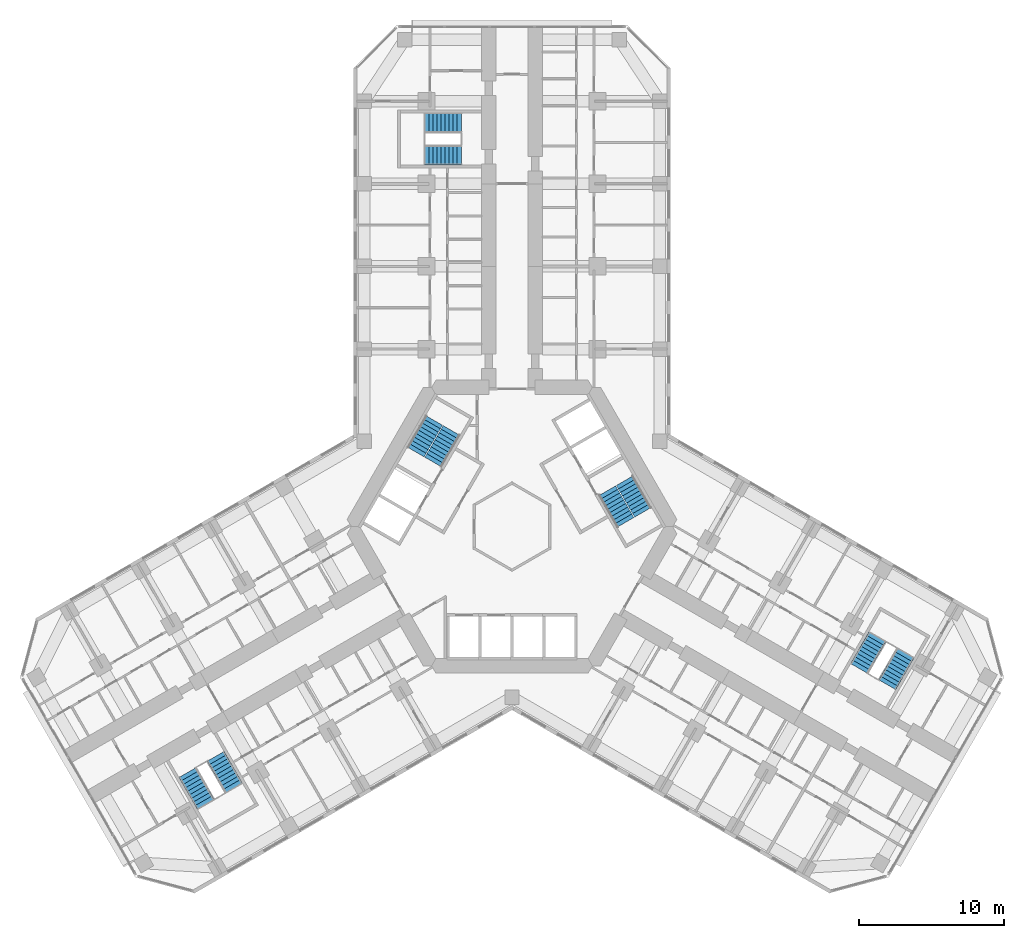
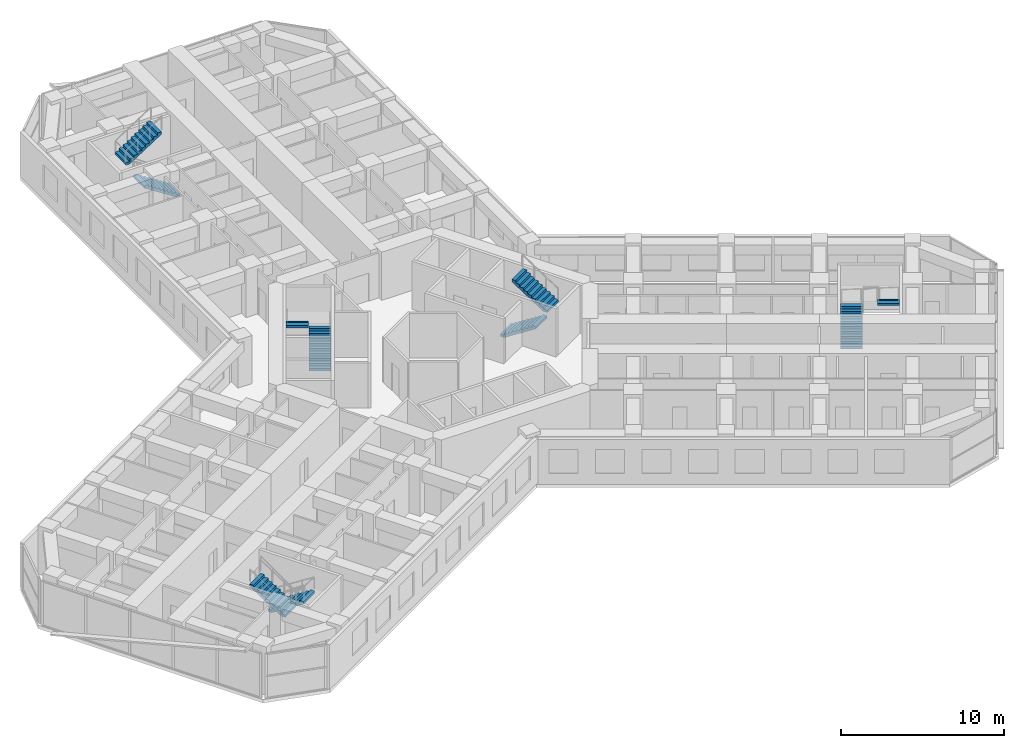
# One storey, part 20 of 21: 10 stair flights, 5 elements without a shape of their own.
"""IFC4 building model written with IfcOpenShell, lengths in metres."""

from ifc_helpers import new_model, si_unit, direction, frame, origin, place, context, subcontext, project, spatial, polyline, outline, extrude, material, type_object, element, aggregate, save


model = new_model("IFC4")

# Units and contexts
model_context = context("Model", 3, precision=1e-05, world=origin(), true_north=direction((0.0, 1.0)))
body_context = subcontext(model_context, "Body", "Model", "MODEL_VIEW")
ifc_project = project(units=[si_unit("LENGTHUNIT", "METRE"), si_unit("AREAUNIT", "SQUARE_METRE"), si_unit("VOLUMEUNIT", "CUBIC_METRE"), si_unit("PLANEANGLEUNIT", "RADIAN"), si_unit("MASSUNIT", "GRAM", prefix="KILO")], contexts=[model_context])

# Site, building, storey
site_placement = place(None, origin())
site = spatial("IfcSite", under=ifc_project, at=site_placement, CompositionType="ELEMENT")
building_placement = place(site_placement, origin())
building = spatial("IfcBuilding", under=site, at=building_placement, Name="Kosmar Iwan School Tower", CompositionType="ELEMENT")
storey_placement = place(building_placement, frame((0.0, 0.0, 46.60009765625)))
storey = spatial("IfcBuildingStorey", under=building, at=storey_placement, Name="L10", CompositionType="ELEMENT", Elevation=46.60009765625)

# Stair, stair flights
ifc_material_1 = material(Name="Concrete C35/45", Category="concrete")
stair_type_1 = type_object("IfcStairType", Name="Escape stair 3600", PredefinedType="HALF_TURN_STAIR", material=ifc_material_1)
stair_1_placement = place(storey_placement, origin())
stair_1 = element("IfcStair", 1, at=stair_1_placement, inside=storey, type_object=stair_type_1, Name="Stair WS1 L10", PredefinedType="HALF_TURN_STAIR")
ifc_material_2 = material(Name="Concrete C35/45", Category="concrete")
stair_flight_type_1 = type_object("IfcStairFlightType", Name="Escape stair flight 1350", PredefinedType="STRAIGHT", material=ifc_material_2)
stair_flight_1_placement = place(storey_placement, frame((-3.5, 25.625, 0.0), z_axis=(0.0, 0.0, 1.0), x_axis=(-1.0, 0.0, 0.0)))
stair_flight_1 = element("IfcStairFlight", 2, at=stair_flight_1_placement, type_object=stair_flight_type_1, Name="WS1 flight 1", NumberOfRisers=10, NumberOfTreads=9, PredefinedType="STRAIGHT", RiserHeight=0.18, TreadLength=0.28, context=body_context, shape_type="SweptSolid", body=[
    extrude(outline(polyline([(0.0, 0.0), (0.0, 0.179931640625), (0.280029296875, 0.179931640625), (0.280029296875, 0.360107421875), (0.56005859375, 0.360107421875), (0.56005859375, 0.5400390625), (0.840087890625, 0.5400390625), (0.840087890625, 0.719970703125), (1.1201171875, 0.719970703125), (1.1201171875, 0.89990234375), (1.39990234375, 0.89990234375), (1.39990234375, 1.080078125), (1.679931640625, 1.080078125), (1.679931640625, 1.260009765625), (1.9599609375, 1.260009765625), (1.9599609375, 1.43994140625), (2.239990234375, 1.43994140625), (2.239990234375, 1.6201171875), (2.52001953125, 1.6201171875), (2.52001953125, 1.800048828125), (2.52001953125, 1.44189453125), (0.277099609375, 0.0), (0.0, 0.0)])), frame((0.0, 0.675048828125, 0.0), z_axis=(0.0, -1.0, 0.0), x_axis=(1.0, 0.0, 0.0)), (0.0, 0.0, 1.0), 1.35009765625),
])
stair_flight_2_placement = place(storey_placement, frame((-6.02001953125, 27.875, 1.7998046875), z_axis=(0.0, 0.0, 1.0), x_axis=(1.0, 0.0, 0.0)))
stair_flight_2 = element("IfcStairFlight", 3, at=stair_flight_2_placement, type_object=stair_flight_type_1, Name="WS1 flight 2", NumberOfRisers=10, NumberOfTreads=9, PredefinedType="STRAIGHT", RiserHeight=0.18, TreadLength=0.28, context=body_context, shape_type="SweptSolid", body=[
    extrude(outline(polyline([(0.0, 0.0), (0.0, 0.179931640625), (0.280029296875, 0.179931640625), (0.280029296875, 0.360107421875), (0.56005859375, 0.360107421875), (0.56005859375, 0.5400390625), (0.840087890625, 0.5400390625), (0.840087890625, 0.719970703125), (1.1201171875, 0.719970703125), (1.1201171875, 0.89990234375), (1.39990234375, 0.89990234375), (1.39990234375, 1.080078125), (1.679931640625, 1.080078125), (1.679931640625, 1.260009765625), (1.9599609375, 1.260009765625), (1.9599609375, 1.43994140625), (2.239990234375, 1.43994140625), (2.239990234375, 1.6201171875), (2.52001953125, 1.6201171875), (2.52001953125, 1.800048828125), (2.52001953125, 1.44189453125), (0.277099609375, 0.0), (0.0, 0.0)])), frame((0.0, 0.675048828125, 0.0), z_axis=(0.0, -1.0, 0.0), x_axis=(1.0, 0.0, 0.0)), (0.0, 0.0, 1.0), 1.35009765625),
])
aggregate(stair_1, [stair_flight_1, stair_flight_2])

stair_2_placement = place(storey_placement, origin())
stair_2 = element("IfcStair", 4, at=stair_2_placement, inside=storey, type_object=stair_type_1, Name="Stair WS2 L10", PredefinedType="HALF_TURN_STAIR")
stair_flight_3_placement = place(storey_placement, frame((-20.44189453125, -15.843505859375, 0.0), z_axis=(0.0, 0.0, 1.0), x_axis=(0.5, -0.866025403784, 0.0)))
stair_flight_3 = element("IfcStairFlight", 5, at=stair_flight_3_placement, type_object=stair_flight_type_1, Name="WS2 flight 1", NumberOfRisers=10, NumberOfTreads=9, PredefinedType="STRAIGHT", RiserHeight=0.18, TreadLength=0.28, context=body_context, shape_type="SweptSolid", body=[
    extrude(outline(polyline([(0.0, 0.0), (0.0, 0.179931640625), (0.280029296875, 0.179931640625), (0.280029296875, 0.360107421875), (0.56005859375, 0.360107421875), (0.56005859375, 0.5400390625), (0.840087890625, 0.5400390625), (0.840087890625, 0.719970703125), (1.1201171875, 0.719970703125), (1.1201171875, 0.89990234375), (1.39990234375, 0.89990234375), (1.39990234375, 1.080078125), (1.679931640625, 1.080078125), (1.679931640625, 1.260009765625), (1.9599609375, 1.260009765625), (1.9599609375, 1.43994140625), (2.239990234375, 1.43994140625), (2.239990234375, 1.6201171875), (2.52001953125, 1.6201171875), (2.52001953125, 1.800048828125), (2.52001953125, 1.44189453125), (0.277099609375, 0.0), (0.0, 0.0)])), frame((0.0, 0.675048828125, 0.0), z_axis=(0.0, -1.0, 0.0), x_axis=(1.0, 0.0, 0.0)), (0.0, 0.0, 1.0), 1.35009765625),
])
stair_flight_4_placement = place(storey_placement, frame((-21.13037109375, -19.15087890625, 1.7998046875), z_axis=(0.0, 0.0, 1.0), x_axis=(-0.5, 0.866025403784, 0.0)))
stair_flight_4 = element("IfcStairFlight", 6, at=stair_flight_4_placement, type_object=stair_flight_type_1, Name="WS2 flight 2", NumberOfRisers=10, NumberOfTreads=9, PredefinedType="STRAIGHT", RiserHeight=0.18, TreadLength=0.28, context=body_context, shape_type="SweptSolid", body=[
    extrude(outline(polyline([(0.0, 0.0), (0.0, 0.179931640625), (0.280029296875, 0.179931640625), (0.280029296875, 0.360107421875), (0.56005859375, 0.360107421875), (0.56005859375, 0.5400390625), (0.840087890625, 0.5400390625), (0.840087890625, 0.719970703125), (1.1201171875, 0.719970703125), (1.1201171875, 0.89990234375), (1.39990234375, 0.89990234375), (1.39990234375, 1.080078125), (1.679931640625, 1.080078125), (1.679931640625, 1.260009765625), (1.9599609375, 1.260009765625), (1.9599609375, 1.43994140625), (2.239990234375, 1.43994140625), (2.239990234375, 1.6201171875), (2.52001953125, 1.6201171875), (2.52001953125, 1.800048828125), (2.52001953125, 1.44189453125), (0.277099609375, 0.0), (0.0, 0.0)])), frame((0.0, 0.675048828125, 0.0), z_axis=(0.0, -1.0, 0.0), x_axis=(1.0, 0.0, 0.0)), (0.0, 0.0, 1.0), 1.35009765625),
])
aggregate(stair_2, [stair_flight_3, stair_flight_4])

stair_3_placement = place(storey_placement, origin())
stair_3 = element("IfcStair", 7, at=stair_3_placement, inside=storey, type_object=stair_type_1, Name="Stair WS3 L10", PredefinedType="HALF_TURN_STAIR")
stair_flight_5_placement = place(storey_placement, frame((23.94189453125, -9.781494140625, 0.0), z_axis=(0.0, 0.0, 1.0), x_axis=(0.5, 0.866025403784, 0.0)))
stair_flight_5 = element("IfcStairFlight", 8, at=stair_flight_5_placement, type_object=stair_flight_type_1, Name="WS3 flight 1", NumberOfRisers=10, NumberOfTreads=9, PredefinedType="STRAIGHT", RiserHeight=0.18, TreadLength=0.28, context=body_context, shape_type="SweptSolid", body=[
    extrude(outline(polyline([(0.0, 0.0), (0.0, 0.179931640625), (0.280029296875, 0.179931640625), (0.280029296875, 0.360107421875), (0.56005859375, 0.360107421875), (0.56005859375, 0.5400390625), (0.840087890625, 0.5400390625), (0.840087890625, 0.719970703125), (1.1201171875, 0.719970703125), (1.1201171875, 0.89990234375), (1.39990234375, 0.89990234375), (1.39990234375, 1.080078125), (1.679931640625, 1.080078125), (1.679931640625, 1.260009765625), (1.9599609375, 1.260009765625), (1.9599609375, 1.43994140625), (2.239990234375, 1.43994140625), (2.239990234375, 1.6201171875), (2.52001953125, 1.6201171875), (2.52001953125, 1.800048828125), (2.52001953125, 1.44189453125), (0.277099609375, 0.0), (0.0, 0.0)])), frame((0.0, 0.675048828125, 0.0), z_axis=(0.0, -1.0, 0.0), x_axis=(1.0, 0.0, 0.0)), (0.0, 0.0, 1.0), 1.35009765625),
])
stair_flight_6_placement = place(storey_placement, frame((27.150390625, -8.72412109375, 1.7998046875), z_axis=(0.0, 0.0, 1.0), x_axis=(-0.5, -0.866025403784, 0.0)))
stair_flight_6 = element("IfcStairFlight", 9, at=stair_flight_6_placement, type_object=stair_flight_type_1, Name="WS3 flight 2", NumberOfRisers=10, NumberOfTreads=9, PredefinedType="STRAIGHT", RiserHeight=0.18, TreadLength=0.28, context=body_context, shape_type="SweptSolid", body=[
    extrude(outline(polyline([(0.0, 0.0), (0.0, 0.179931640625), (0.280029296875, 0.179931640625), (0.280029296875, 0.360107421875), (0.56005859375, 0.360107421875), (0.56005859375, 0.5400390625), (0.840087890625, 0.5400390625), (0.840087890625, 0.719970703125), (1.1201171875, 0.719970703125), (1.1201171875, 0.89990234375), (1.39990234375, 0.89990234375), (1.39990234375, 1.080078125), (1.679931640625, 1.080078125), (1.679931640625, 1.260009765625), (1.9599609375, 1.260009765625), (1.9599609375, 1.43994140625), (2.239990234375, 1.43994140625), (2.239990234375, 1.6201171875), (2.52001953125, 1.6201171875), (2.52001953125, 1.800048828125), (2.52001953125, 1.44189453125), (0.277099609375, 0.0), (0.0, 0.0)])), frame((0.0, 0.675048828125, 0.0), z_axis=(0.0, -1.0, 0.0), x_axis=(1.0, 0.0, 0.0)), (0.0, 0.0, 1.0), 1.35009765625),
])
aggregate(stair_3, [stair_flight_5, stair_flight_6])

ifc_material_3 = material(Name="Concrete C35/45", Category="concrete")
stair_type_2 = type_object("IfcStairType", Name="Core stair 2750", PredefinedType="HALF_TURN_STAIR", material=ifc_material_3)
stair_4_placement = place(storey_placement, origin())
stair_4 = element("IfcStair", 10, at=stair_4_placement, inside=storey, type_object=stair_type_2, Name="Stair ST2 L10", PredefinedType="HALF_TURN_STAIR")
ifc_material_4 = material(Name="Concrete C35/45", Category="concrete")
stair_flight_type_2 = type_object("IfcStairFlightType", Name="Stair flight 1350", PredefinedType="STRAIGHT", material=ifc_material_4)
stair_flight_7_placement = place(storey_placement, frame((-5.42724609375, 4.44970703125, 0.0), z_axis=(0.0, 0.0, 1.0), x_axis=(0.5, 0.866025403784, 0.0)))
stair_flight_7 = element("IfcStairFlight", 11, at=stair_flight_7_placement, type_object=stair_flight_type_2, Name="ST2 flight 1", NumberOfRisers=10, NumberOfTreads=9, PredefinedType="STRAIGHT", RiserHeight=0.18, TreadLength=0.28, context=body_context, shape_type="SweptSolid", body=[
    extrude(outline(polyline([(0.0, 0.0), (0.0, 0.179931640625), (0.280029296875, 0.179931640625), (0.280029296875, 0.360107421875), (0.56005859375, 0.360107421875), (0.56005859375, 0.5400390625), (0.840087890625, 0.5400390625), (0.840087890625, 0.719970703125), (1.1201171875, 0.719970703125), (1.1201171875, 0.89990234375), (1.39990234375, 0.89990234375), (1.39990234375, 1.080078125), (1.679931640625, 1.080078125), (1.679931640625, 1.260009765625), (1.9599609375, 1.260009765625), (1.9599609375, 1.43994140625), (2.239990234375, 1.43994140625), (2.239990234375, 1.6201171875), (2.52001953125, 1.6201171875), (2.52001953125, 1.800048828125), (2.52001953125, 1.44189453125), (0.277099609375, 0.0), (0.0, 0.0)])), frame((0.0, 0.675048828125, 0.0), z_axis=(0.0, -1.0, 0.0), x_axis=(1.0, 0.0, 0.0)), (0.0, 0.0, 1.0), 1.35009765625),
])
stair_flight_8_placement = place(storey_placement, frame((-5.379638671875, 7.33203125, 1.7998046875), z_axis=(0.0, 0.0, 1.0), x_axis=(-0.5, -0.866025403784, 0.0)))
stair_flight_8 = element("IfcStairFlight", 12, at=stair_flight_8_placement, type_object=stair_flight_type_2, Name="ST2 flight 2", NumberOfRisers=10, NumberOfTreads=9, PredefinedType="STRAIGHT", RiserHeight=0.18, TreadLength=0.28, context=body_context, shape_type="SweptSolid", body=[
    extrude(outline(polyline([(0.0, 0.0), (0.0, 0.179931640625), (0.280029296875, 0.179931640625), (0.280029296875, 0.360107421875), (0.56005859375, 0.360107421875), (0.56005859375, 0.5400390625), (0.840087890625, 0.5400390625), (0.840087890625, 0.719970703125), (1.1201171875, 0.719970703125), (1.1201171875, 0.89990234375), (1.39990234375, 0.89990234375), (1.39990234375, 1.080078125), (1.679931640625, 1.080078125), (1.679931640625, 1.260009765625), (1.9599609375, 1.260009765625), (1.9599609375, 1.43994140625), (2.239990234375, 1.43994140625), (2.239990234375, 1.6201171875), (2.52001953125, 1.6201171875), (2.52001953125, 1.800048828125), (2.52001953125, 1.44189453125), (0.277099609375, 0.0), (0.0, 0.0)])), frame((0.0, 0.675048828125, 0.0), z_axis=(0.0, -1.0, 0.0), x_axis=(1.0, 0.0, 0.0)), (0.0, 0.0, 1.0), 1.35009765625),
])
aggregate(stair_4, [stair_flight_7, stair_flight_8])

stair_5_placement = place(storey_placement, origin())
stair_5 = element("IfcStair", 13, at=stair_5_placement, inside=storey, type_object=stair_type_2, Name="Stair ST1 L10", PredefinedType="HALF_TURN_STAIR")
stair_flight_9_placement = place(storey_placement, frame((6.567138671875, 2.475341796875, 0.0), z_axis=(0.0, 0.0, 1.0), x_axis=(0.5, -0.866025403784, 0.0)))
stair_flight_9 = element("IfcStairFlight", 14, at=stair_flight_9_placement, type_object=stair_flight_type_2, Name="ST1 flight 1", NumberOfRisers=10, NumberOfTreads=9, PredefinedType="STRAIGHT", RiserHeight=0.18, TreadLength=0.28, context=body_context, shape_type="SweptSolid", body=[
    extrude(outline(polyline([(0.0, 0.0), (0.0, 0.179931640625), (0.280029296875, 0.179931640625), (0.280029296875, 0.360107421875), (0.56005859375, 0.360107421875), (0.56005859375, 0.5400390625), (0.840087890625, 0.5400390625), (0.840087890625, 0.719970703125), (1.1201171875, 0.719970703125), (1.1201171875, 0.89990234375), (1.39990234375, 0.89990234375), (1.39990234375, 1.080078125), (1.679931640625, 1.080078125), (1.679931640625, 1.260009765625), (1.9599609375, 1.260009765625), (1.9599609375, 1.43994140625), (2.239990234375, 1.43994140625), (2.239990234375, 1.6201171875), (2.52001953125, 1.6201171875), (2.52001953125, 1.800048828125), (2.52001953125, 1.44189453125), (0.277099609375, 0.0), (0.0, 0.0)])), frame((0.0, 0.675048828125, 0.0), z_axis=(0.0, -1.0, 0.0), x_axis=(1.0, 0.0, 0.0)), (0.0, 0.0, 1.0), 1.35009765625),
])
stair_flight_10_placement = place(storey_placement, frame((9.03955078125, 0.992919921875, 1.7998046875), z_axis=(0.0, 0.0, 1.0), x_axis=(-0.5, 0.866025403784, 0.0)))
stair_flight_10 = element("IfcStairFlight", 15, at=stair_flight_10_placement, type_object=stair_flight_type_2, Name="ST1 flight 2", NumberOfRisers=10, NumberOfTreads=9, PredefinedType="STRAIGHT", RiserHeight=0.18, TreadLength=0.28, context=body_context, shape_type="SweptSolid", body=[
    extrude(outline(polyline([(0.0, 0.0), (0.0, 0.179931640625), (0.280029296875, 0.179931640625), (0.280029296875, 0.360107421875), (0.56005859375, 0.360107421875), (0.56005859375, 0.5400390625), (0.840087890625, 0.5400390625), (0.840087890625, 0.719970703125), (1.1201171875, 0.719970703125), (1.1201171875, 0.89990234375), (1.39990234375, 0.89990234375), (1.39990234375, 1.080078125), (1.679931640625, 1.080078125), (1.679931640625, 1.260009765625), (1.9599609375, 1.260009765625), (1.9599609375, 1.43994140625), (2.239990234375, 1.43994140625), (2.239990234375, 1.6201171875), (2.52001953125, 1.6201171875), (2.52001953125, 1.800048828125), (2.52001953125, 1.44189453125), (0.277099609375, 0.0), (0.0, 0.0)])), frame((0.0, 0.675048828125, 0.0), z_axis=(0.0, -1.0, 0.0), x_axis=(1.0, 0.0, 0.0)), (0.0, 0.0, 1.0), 1.35009765625),
])
aggregate(stair_5, [stair_flight_9, stair_flight_10])

save(model, "model.ifc")
